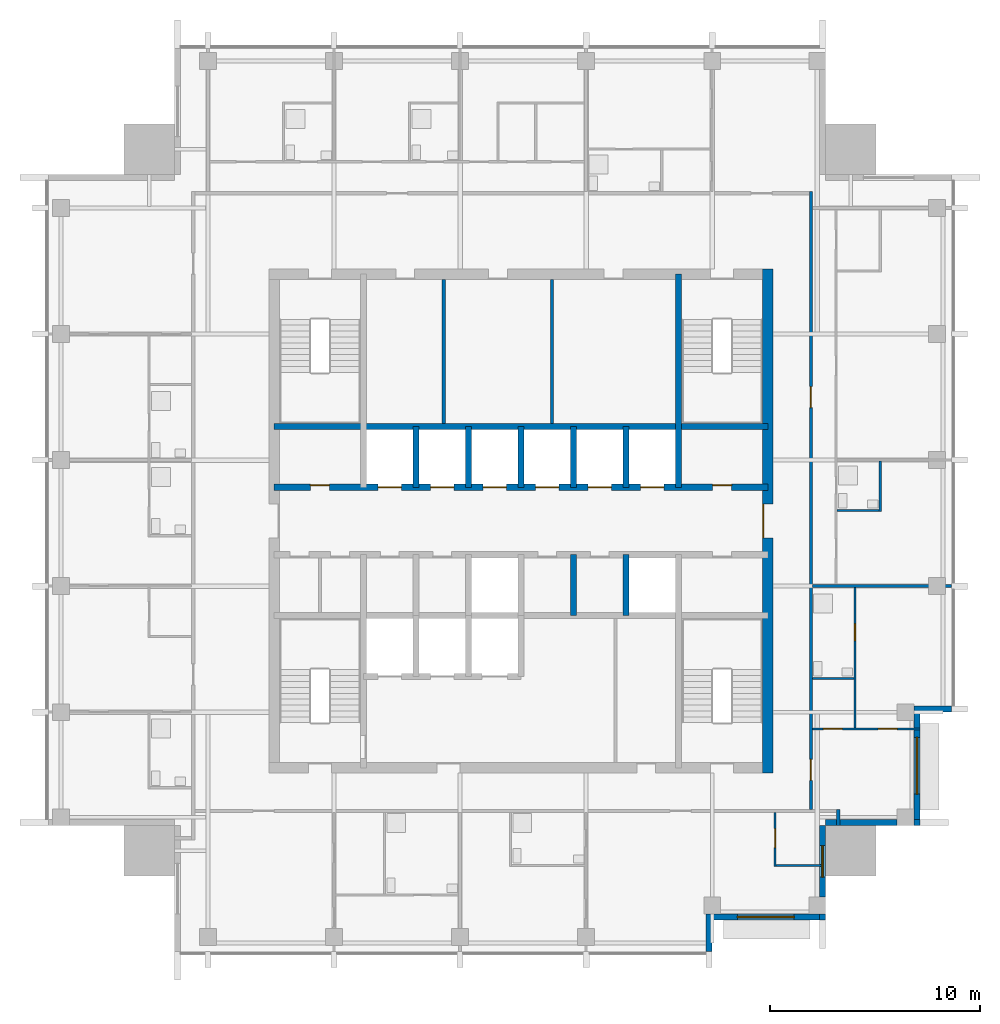
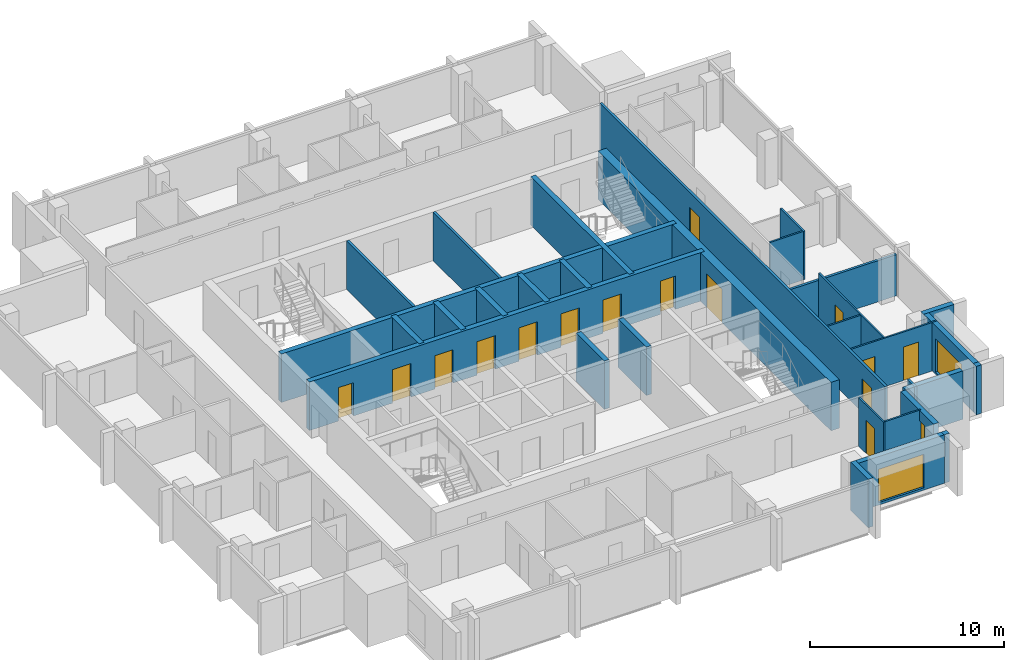
# One storey, part 5 of 9: 31 walls, 15 doors, 3 windows, 18 openings.
"""IFC4 building model written with IfcOpenShell, lengths in metres."""

import ifcopenshell
import ifcopenshell.guid

model = None  # the IFC model being written
_history = None  # IfcOwnerHistory: only IFC2X3 demands one
_inside = {}  # id of a spatial element -> (the spatial element, [elements in it])
_under = {}  # id of a project, library or spatial element -> (it, [spatial elements below it])
_declared = {}  # id of a project -> (the project, [libraries it declares])
_typed = {}  # id of a type object -> (the type object, [elements of that type])
_made_of = {}  # id of a material, layer set ... -> (it, [elements and type objects made of it])


def new_model(schema):
    """Start an empty IFC model of exactly this schema.

    Asked for "IFC4X3", IfcOpenShell would pick the latest addendum, in which some entities
    have other attributes; the version numbers below select the first issue.
    IFC2X3 requires an IfcOwnerHistory on every rooted entity: one is made here for all.
    """
    global model, _history
    if schema == "IFC4X3":
        model = ifcopenshell.file(schema_version=(4, 3, 0, 0))
    else:
        model = ifcopenshell.file(schema=schema)
    _inside.clear()
    _under.clear()
    _declared.clear()
    _typed.clear()
    _made_of.clear()
    _history = None
    if model.schema == "IFC2X3":
        org = make("IfcOrganization", Name="unknown")
        user = make(
            "IfcPersonAndOrganization",
            ThePerson=make("IfcPerson", FamilyName="unknown"),
            TheOrganization=org,
        )
        app = make(
            "IfcApplication",
            ApplicationDeveloper=org,
            Version="unknown",
            ApplicationFullName="unknown",
            ApplicationIdentifier="unknown",
        )
        _history = make(
            "IfcOwnerHistory",
            OwningUser=user,
            OwningApplication=app,
            ChangeAction="ADDED",
            CreationDate=0,
        )
    return model


def make(cls, **values):
    """One entity of the class cls with the attributes given. An attribute that is None is left unset."""
    return model.create_entity(
        cls, **{name: value for name, value in values.items() if value is not None}
    )


def rooted(cls, **values):
    """An entity with a GlobalId (a new one), such as an element, a storey or a relation."""
    return make(cls, GlobalId=ifcopenshell.guid.new(), OwnerHistory=_history, **values)


def si_unit(unit_type, name, prefix=None):
    """IfcSIUnit, for example si_unit("LENGTHUNIT", "METRE", prefix="MILLI")."""
    return make("IfcSIUnit", UnitType=unit_type, Prefix=prefix, Name=name)


def assignment(units):
    """IfcUnitAssignment: the units of a project."""
    return None if units is None else make("IfcUnitAssignment", Units=units)


def point(xyz):
    """IfcCartesianPoint."""
    return None if xyz is None else make("IfcCartesianPoint", Coordinates=xyz)


def direction(xyz):
    """IfcDirection."""
    return None if xyz is None else make("IfcDirection", DirectionRatios=xyz)


def frame(location, z_axis=None, x_axis=None):
    """IfcAxis2Placement3D, a coordinate frame: its origin and axes. An axis left out is left unset."""
    return make(
        "IfcAxis2Placement3D",
        Location=point(location),
        Axis=direction(z_axis),
        RefDirection=direction(x_axis),
    )


def frame_2d(location, x_axis=None):
    """IfcAxis2Placement2D, a coordinate frame in the plane: its origin and x axis."""
    return make(
        "IfcAxis2Placement2D", Location=point(location), RefDirection=direction(x_axis)
    )


def origin():
    """The frame at (0, 0, 0) with its axes left unset."""
    return frame((0.0, 0.0, 0.0))


def place(relative_to, where):
    """IfcLocalPlacement: puts the frame where relative to a parent placement (None: the world)."""
    return make(
        "IfcLocalPlacement", PlacementRelTo=relative_to, RelativePlacement=where
    )


def context(
    kind, dimensions, precision=None, world=None, true_north=None, identifier=None
):
    """IfcGeometricRepresentationContext, for example the 3D "Model" context."""
    return make(
        "IfcGeometricRepresentationContext",
        ContextIdentifier=identifier,
        ContextType=kind,
        CoordinateSpaceDimension=dimensions,
        Precision=precision,
        WorldCoordinateSystem=world,
        TrueNorth=true_north,
    )


def subcontext(parent, identifier, kind, view, scale=None):
    """IfcGeometricRepresentationSubContext, for example "Body" below "Model"."""
    return make(
        "IfcGeometricRepresentationSubContext",
        ContextIdentifier=identifier,
        ContextType=kind,
        ParentContext=parent,
        TargetScale=scale,
        TargetView=view,
    )


def project(units=None, contexts=None):
    """IfcProject with its units and contexts."""
    return rooted(
        "IfcProject",
        Name="project",
        RepresentationContexts=contexts,
        UnitsInContext=assignment(units),
    )


def spatial(cls, under=None, at=None, **own):
    """A site, building, storey or space (cls), placed at a placement, below another one or the project."""
    s = rooted(cls, ObjectPlacement=at, **own)
    if under is not None:
        _under.setdefault(under.id(), (under, []))[1].append(s)
    return s


def profile(cls, at=None, kind="AREA", **sizes):
    """A parametric profile (cls). Its sizes go by their IFC names, for example OverallWidth=200.0."""
    return make(cls, ProfileType=kind, Position=at, **sizes)


def rectangle(**sizes):
    """IfcRectangleProfileDef."""
    return profile("IfcRectangleProfileDef", **sizes)


def extrude(swept, where, along, depth):
    """IfcExtrudedAreaSolid: the profile swept, set in the frame where, extruded along a direction by depth."""
    return make(
        "IfcExtrudedAreaSolid",
        SweptArea=swept,
        Position=where,
        ExtrudedDirection=direction(along),
        Depth=depth,
    )


def shape(context_of_items, identifier, shape_type, items):
    """IfcShapeRepresentation: the items that make up one representation, for example the "Body"."""
    return make(
        "IfcShapeRepresentation",
        ContextOfItems=context_of_items,
        RepresentationIdentifier=identifier,
        RepresentationType=shape_type,
        Items=items,
    )


def material(Name=None, Category=None):
    """IfcMaterial."""
    return make("IfcMaterial", Name=Name, Category=Category)


def layer(
    of_material, thickness, ventilated=None, Name=None, Category=None, Priority=None
):
    """IfcMaterialLayer: one layer of a wall or slab, of a material (None: an air gap)."""
    return make(
        "IfcMaterialLayer",
        Material=of_material,
        LayerThickness=thickness,
        IsVentilated=ventilated,
        Name=Name,
        Category=Category,
        Priority=Priority,
    )


def layer_set(layers, Name=None):
    """IfcMaterialLayerSet."""
    return make("IfcMaterialLayerSet", MaterialLayers=layers, LayerSetName=Name)


def made_of(thing, what):
    """Note that an element or type object is made of a material, layer set ...; save() writes the relation."""
    if what is not None:
        _made_of.setdefault(what.id(), (what, []))[1].append(thing)
    return thing


def type_object(cls, material=None, **own):
    """A type object (cls), such as IfcWallType, which elements share."""
    return made_of(rooted(cls, **own), material)


def element(
    cls,
    number,
    at=None,
    inside=None,
    cuts=None,
    type_object=None,
    material=None,
    context=None,
    identifier="Body",
    shape_type=None,
    held_by="IfcProductDefinitionShape",
    body=None,
    shapes=None,
    **own,
):
    """One element of the class cls, such as IfcWall. Its Tag is "e" and its number.

    at: its placement. inside: the storey or other place that contains it. cuts: it is an
    opening in that element (IfcRelVoidsElement). A single representation is given by context,
    identifier, shape_type and body (its items); several are given by shapes. held_by: the class
    of the entity that holds the representations. save() writes the other relations.
    """
    e = rooted(cls, Tag="e%d" % number, ObjectPlacement=at, **own)
    if body is not None:
        shapes = [shape(context, identifier, shape_type, body)]
    if shapes is not None:
        e.Representation = make(held_by, Representations=shapes)
    if inside is not None:
        _inside.setdefault(inside.id(), (inside, []))[1].append(e)
    if cuts is not None:
        rooted(
            "IfcRelVoidsElement", RelatingBuildingElement=cuts, RelatedOpeningElement=e
        )
    if type_object is not None:
        _typed.setdefault(type_object.id(), (type_object, []))[1].append(e)
    return made_of(e, material)


def fill(opening, filler):
    """IfcRelFillsElement: the door or window that sits in an opening."""
    return rooted(
        "IfcRelFillsElement",
        RelatingOpeningElement=opening,
        RelatedBuildingElement=filler,
    )


def aggregate(whole, parts):
    """IfcRelAggregates: a whole, such as a stair, and the parts it consists of."""
    return rooted("IfcRelAggregates", RelatingObject=whole, RelatedObjects=parts)


def save(model, path):
    """Write the relations noted so far, then the file.

    IfcRelAggregates (storeys below a building ...), IfcRelContainedInSpatialStructure (elements
    in a storey), IfcRelDefinesByType, IfcRelAssociatesMaterial and IfcRelDeclares: one each for
    every whole, place, type object, material and project.
    """
    for whole, parts in _under.values():
        aggregate(whole, parts)
    for where, things in _inside.values():
        rooted(
            "IfcRelContainedInSpatialStructure",
            RelatedElements=things,
            RelatingStructure=where,
        )
    for kind, things in _typed.values():
        rooted("IfcRelDefinesByType", RelatedObjects=things, RelatingType=kind)
    for what, things in _made_of.values():
        rooted("IfcRelAssociatesMaterial", RelatedObjects=things, RelatingMaterial=what)
    for by, libraries in _declared.values():
        rooted("IfcRelDeclares", RelatingContext=by, RelatedDefinitions=libraries)
    model.write(path)


model = new_model("IFC4")

# Units and contexts
model_context = context("Model", 3, precision=1e-05, world=origin(), true_north=direction((0.0, 1.0)))
body_context = subcontext(model_context, "Body", "Model", "MODEL_VIEW")
ifc_project = project(units=[si_unit("LENGTHUNIT", "METRE"), si_unit("AREAUNIT", "SQUARE_METRE"), si_unit("VOLUMEUNIT", "CUBIC_METRE"), si_unit("PLANEANGLEUNIT", "RADIAN"), si_unit("MASSUNIT", "GRAM", prefix="KILO")], contexts=[model_context])

# Site, building, storey
site_placement = place(None, origin())
site = spatial("IfcSite", under=ifc_project, at=site_placement, CompositionType="ELEMENT")
building_placement = place(site_placement, origin())
building = spatial("IfcBuilding", under=site, at=building_placement, Name="Amberfall Residences", CompositionType="ELEMENT")
storey_placement = place(building_placement, frame((0.0, 0.0, 255.39990234375)))
storey = spatial("IfcBuildingStorey", under=building, at=storey_placement, Name="L68", CompositionType="ELEMENT", Elevation=255.39990234375)

# Walls
ifc_material_1 = material(Name="Pale stone cladding on insulated backing", Category="masonry")
ifc_layer_1 = layer(ifc_material_1, 0.300048828125)
ifc_layer_set_1 = layer_set([ifc_layer_1], Name="Bronze clad wall 300")
wall_type_1 = type_object("IfcWallType", Name="Bronze clad wall 300", PredefinedType="SOLIDWALL", material=ifc_layer_set_1)
wall_1_placement = place(storey_placement, frame((83.449951171875, 25.0, 0.0), z_axis=(0.0, 0.0, 1.0), x_axis=(0.0, 1.0, 0.0)))
element("IfcWall", 1, at=wall_1_placement, inside=storey, type_object=wall_type_1, Name="External wall L68 S", PredefinedType="SOLIDWALL", context=body_context, shape_type="SweptSolid", body=[
    extrude(rectangle(XDim=1.800048828125, YDim=0.300048828125, at=frame_2d((0.89990234375, 0.0))), origin(), (0.0, 0.0, 1.0), 3.050048828125),
])
wall_2_placement = place(storey_placement, frame((88.85009765625, 26.5, 0.0), z_axis=(0.0, 0.0, 1.0), x_axis=(0.0, 1.0, 0.0)))
element("IfcWall", 2, at=wall_2_placement, inside=storey, type_object=wall_type_1, Name="External wall L68 SE", PredefinedType="SOLIDWALL", context=body_context, shape_type="SweptSolid", body=[
    extrude(rectangle(XDim=0.300048828125, YDim=0.300048828125, at=frame_2d((0.14990234375, 0.0))), origin(), (0.0, 0.0, 1.0), 3.050048828125),
])

# Wall, opening, window
wall_3_placement = place(storey_placement, frame((88.85009765625, 27.60009765625, 0.0), z_axis=(0.0, 0.0, 1.0), x_axis=(0.0, 1.0, 0.0)))
wall_3 = element("IfcWall", 3, at=wall_3_placement, inside=storey, type_object=wall_type_1, Name="External wall L68 SE", PredefinedType="SOLIDWALL", context=body_context, shape_type="SweptSolid", body=[
    extrude(rectangle(XDim=3.39990234375, YDim=0.300048828125, at=frame_2d((1.699951171875, 0.0))), origin(), (0.0, 0.0, 1.0), 3.050048828125),
])
opening_1_placement = place(wall_3_placement, frame((0.949951171875, 0.0, 0.89990234375)))
opening_1 = element("IfcOpeningElement", 4, at=opening_1_placement, cuts=wall_3, Name="Opening WN1", PredefinedType="OPENING", context=body_context, shape_type="SweptSolid", body=[
    extrude(rectangle(XDim=1.5, YDim=1.5, at=frame_2d((0.75, 0.75))), frame((0.0, 0.159912109375, 0.0), z_axis=(0.0, -1.0, 0.0), x_axis=(1.0, 0.0, 0.0)), (0.0, 0.0, 1.0), 0.320068359375),
])
ifc_material_2 = material(Name="Bronze aluminium framed glazing", Category="aluminium")
window_type_1 = type_object("IfcWindowType", Name="Window 1500 x 1500 bronze", PartitioningType="DOUBLE_PANEL_VERTICAL", PredefinedType="WINDOW", material=ifc_material_2)
window_1_placement = place(opening_1_placement, origin())
window_1 = element("IfcWindow", 5, at=window_1_placement, inside=storey, type_object=window_type_1, Name="Window L68 SE", OverallHeight=1.5, OverallWidth=1.5, PartitioningType="DOUBLE_PANEL_VERTICAL", PredefinedType="WINDOW", context=body_context, shape_type="SweptSolid", body=[
    extrude(rectangle(XDim=1.5, YDim=1.5, at=frame_2d((0.75, 0.75))), frame((0.0, 0.030029296875, 0.0), z_axis=(0.0, -1.0, 0.0), x_axis=(1.0, 0.0, 0.0)), (0.0, 0.0, 1.0), 0.06005859375),
])
fill(opening_1, window_1)

# Walls
wall_4_placement = place(storey_placement, frame((89.0, 31.14990234375, 0.0), z_axis=(0.0, 0.0, 1.0), x_axis=(1.0, 0.0, 0.0)))
element("IfcWall", 6, at=wall_4_placement, inside=storey, type_object=wall_type_1, Name="External wall L68 SE", PredefinedType="SOLIDWALL", context=body_context, shape_type="SweptSolid", body=[
    extrude(rectangle(XDim=3.39990234375, YDim=0.300048828125, at=frame_2d((1.699951171875, 0.0))), origin(), (0.0, 0.0, 1.0), 3.050048828125),
])
wall_5_placement = place(storey_placement, frame((93.199951171875, 31.14990234375, 0.0), z_axis=(0.0, 0.0, 1.0), x_axis=(1.0, 0.0, 0.0)))
element("IfcWall", 7, at=wall_5_placement, inside=storey, type_object=wall_type_1, Name="External wall L68 SE", PredefinedType="SOLIDWALL", context=body_context, shape_type="SweptSolid", body=[
    extrude(rectangle(XDim=0.300048828125, YDim=0.300048828125, at=frame_2d((0.14990234375, 0.0))), origin(), (0.0, 0.0, 1.0), 3.050048828125),
])
wall_6_placement = place(storey_placement, frame((93.199951171875, 36.550048828125, 0.0), z_axis=(0.0, 0.0, 1.0), x_axis=(1.0, 0.0, 0.0)))
element("IfcWall", 8, at=wall_6_placement, inside=storey, type_object=wall_type_1, Name="External wall L68 E", PredefinedType="SOLIDWALL", context=body_context, shape_type="SweptSolid", body=[
    extrude(rectangle(XDim=1.800048828125, YDim=0.300048828125, at=frame_2d((0.89990234375, 0.0))), origin(), (0.0, 0.0, 1.0), 3.050048828125),
])

# Wall, opening, window
wall_7_placement = place(storey_placement, frame((83.60009765625, 26.64990234375, 0.0), z_axis=(0.0, 0.0, 1.0), x_axis=(1.0, 0.0, 0.0)))
wall_7 = element("IfcWall", 9, at=wall_7_placement, inside=storey, type_object=wall_type_1, Name="Stone wall L68 S", PredefinedType="SOLIDWALL", context=body_context, shape_type="SweptSolid", body=[
    extrude(rectangle(XDim=5.099853515625, YDim=0.300048828125, at=frame_2d((2.5498046875, 0.0))), origin(), (0.0, 0.0, 1.0), 3.050048828125),
])
opening_2_placement = place(wall_7_placement, frame((1.199951171875, 0.0, 0.14990234375)))
opening_2 = element("IfcOpeningElement", 10, at=opening_2_placement, cuts=wall_7, Name="Opening WN4", PredefinedType="OPENING", context=body_context, shape_type="SweptSolid", body=[
    extrude(rectangle(XDim=2.699951171875, YDim=2.10009765625, at=frame_2d((1.35009765625, 1.050048828125))), frame((0.0, 0.159912109375, 0.0), z_axis=(0.0, -1.0, 0.0), x_axis=(1.0, 0.0, 0.0)), (0.0, 0.0, 1.0), 0.320068359375),
])
window_type_2 = type_object("IfcWindowType", Name="Glazed opening 2700 x 2100 bronze", PartitioningType="DOUBLE_PANEL_VERTICAL", PredefinedType="WINDOW", material=ifc_material_2)
window_2_placement = place(opening_2_placement, origin())
window_2 = element("IfcWindow", 11, at=window_2_placement, inside=storey, type_object=window_type_2, Name="Window L68 S", OverallHeight=2.10009765625, OverallWidth=2.699951171875, PartitioningType="DOUBLE_PANEL_VERTICAL", PredefinedType="WINDOW", context=body_context, shape_type="SweptSolid", body=[
    extrude(rectangle(XDim=2.699951171875, YDim=2.10009765625, at=frame_2d((1.35009765625, 1.050048828125))), frame((0.0, 0.030029296875, 0.0), z_axis=(0.0, -1.0, 0.0), x_axis=(1.0, 0.0, 0.0)), (0.0, 0.0, 1.0), 0.06005859375),
])
fill(opening_2, window_2)

wall_8_placement = place(storey_placement, frame((93.35009765625, 31.300048828125, 0.0), z_axis=(0.0, 0.0, 1.0), x_axis=(0.0, 1.0, 0.0)))
wall_8 = element("IfcWall", 12, at=wall_8_placement, inside=storey, type_object=wall_type_1, Name="Stone wall L68 E", PredefinedType="SOLIDWALL", context=body_context, shape_type="SweptSolid", body=[
    extrude(rectangle(XDim=5.099853515625, YDim=0.300048828125, at=frame_2d((2.5498046875, 0.0))), origin(), (0.0, 0.0, 1.0), 3.050048828125),
])
opening_3_placement = place(wall_8_placement, frame((1.199951171875, 0.0, 0.14990234375)))
opening_3 = element("IfcOpeningElement", 13, at=opening_3_placement, cuts=wall_8, Name="Opening WN4", PredefinedType="OPENING", context=body_context, shape_type="SweptSolid", body=[
    extrude(rectangle(XDim=2.699951171875, YDim=2.10009765625, at=frame_2d((1.35009765625, 1.050048828125))), frame((0.0, 0.159912109375, 0.0), z_axis=(0.0, -1.0, 0.0), x_axis=(1.0, 0.0, 0.0)), (0.0, 0.0, 1.0), 0.320068359375),
])
window_3_placement = place(opening_3_placement, origin())
window_3 = element("IfcWindow", 14, at=window_3_placement, inside=storey, type_object=window_type_2, Name="Window L68 E", OverallHeight=2.10009765625, OverallWidth=2.699951171875, PartitioningType="DOUBLE_PANEL_VERTICAL", PredefinedType="WINDOW", context=body_context, shape_type="SweptSolid", body=[
    extrude(rectangle(XDim=2.699951171875, YDim=2.10009765625, at=frame_2d((1.35009765625, 1.050048828125))), frame((0.0, 0.030029296875, 0.0), z_axis=(0.0, -1.0, 0.0), x_axis=(1.0, 0.0, 0.0)), (0.0, 0.0, 1.0), 0.06005859375),
])
fill(opening_3, window_3)

# Wall, openings, doors
ifc_material_3 = material(Name="Concrete C50", Category="concrete")
ifc_layer_2 = layer(ifc_material_3, 0.300048828125)
ifc_layer_set_2 = layer_set([ifc_layer_2], Name="Core wall 300 C50")
wall_type_2 = type_object("IfcWallType", Name="Core wall 300 C50", PredefinedType="SHEAR", material=ifc_layer_set_2)
wall_9_placement = place(storey_placement, frame((62.75, 47.10009765625, 0.0), z_axis=(0.0, 0.0, 1.0), x_axis=(1.0, 0.0, 0.0)))
wall_9 = element("IfcWall", 15, at=wall_9_placement, inside=storey, type_object=wall_type_2, Name="Core wall RW10 L68 H136", PredefinedType="SHEAR", context=body_context, shape_type="SweptSolid", body=[
    extrude(rectangle(XDim=23.5, YDim=0.300048828125, at=frame_2d((11.75, 0.0))), origin(), (0.0, 0.0, 1.0), 3.050048828125),
])
opening_4_placement = place(wall_9_placement, frame((1.72509765625, 0.0, 0.0)))
opening_4 = element("IfcOpeningElement", 16, at=opening_4_placement, cuts=wall_9, Name="Opening RD1", PredefinedType="OPENING", context=body_context, shape_type="SweptSolid", body=[
    extrude(rectangle(XDim=0.89990234375, YDim=2.10009765625, at=frame_2d((0.449951171875, 1.050048828125))), frame((0.0, 0.159912109375, 0.0), z_axis=(0.0, -1.0, 0.0), x_axis=(1.0, 0.0, 0.0)), (0.0, 0.0, 1.0), 0.320068359375),
])
opening_5_placement = place(wall_9_placement, frame((20.875, 0.0, 0.0)))
opening_5 = element("IfcOpeningElement", 17, at=opening_5_placement, cuts=wall_9, Name="Opening RD1", PredefinedType="OPENING", context=body_context, shape_type="SweptSolid", body=[
    extrude(rectangle(XDim=0.89990234375, YDim=2.10009765625, at=frame_2d((0.449951171875, 1.050048828125))), frame((0.0, 0.159912109375, 0.0), z_axis=(0.0, -1.0, 0.0), x_axis=(1.0, 0.0, 0.0)), (0.0, 0.0, 1.0), 0.320068359375),
])
opening_6_placement = place(wall_9_placement, frame((4.949951171875, 0.0, 0.0)))
opening_6 = element("IfcOpeningElement", 18, at=opening_6_placement, cuts=wall_9, Name="Opening LD1", PredefinedType="OPENING", context=body_context, shape_type="SweptSolid", body=[
    extrude(rectangle(XDim=1.10009765625, YDim=2.10009765625, at=frame_2d((0.550048828125, 1.050048828125))), frame((0.0, 0.159912109375, 0.0), z_axis=(0.0, -1.0, 0.0), x_axis=(1.0, 0.0, 0.0)), (0.0, 0.0, 1.0), 0.320068359375),
])
opening_7_placement = place(wall_9_placement, frame((7.449951171875, 0.0, 0.0)))
opening_7 = element("IfcOpeningElement", 19, at=opening_7_placement, cuts=wall_9, Name="Opening LD1", PredefinedType="OPENING", context=body_context, shape_type="SweptSolid", body=[
    extrude(rectangle(XDim=1.10009765625, YDim=2.10009765625, at=frame_2d((0.550048828125, 1.050048828125))), frame((0.0, 0.159912109375, 0.0), z_axis=(0.0, -1.0, 0.0), x_axis=(1.0, 0.0, 0.0)), (0.0, 0.0, 1.0), 0.320068359375),
])
opening_8_placement = place(wall_9_placement, frame((9.949951171875, 0.0, 0.0)))
opening_8 = element("IfcOpeningElement", 20, at=opening_8_placement, cuts=wall_9, Name="Opening LD1", PredefinedType="OPENING", context=body_context, shape_type="SweptSolid", body=[
    extrude(rectangle(XDim=1.10009765625, YDim=2.10009765625, at=frame_2d((0.550048828125, 1.050048828125))), frame((0.0, 0.159912109375, 0.0), z_axis=(0.0, -1.0, 0.0), x_axis=(1.0, 0.0, 0.0)), (0.0, 0.0, 1.0), 0.320068359375),
])
opening_9_placement = place(wall_9_placement, frame((12.449951171875, 0.0, 0.0)))
opening_9 = element("IfcOpeningElement", 21, at=opening_9_placement, cuts=wall_9, Name="Opening LD1", PredefinedType="OPENING", context=body_context, shape_type="SweptSolid", body=[
    extrude(rectangle(XDim=1.10009765625, YDim=2.10009765625, at=frame_2d((0.550048828125, 1.050048828125))), frame((0.0, 0.159912109375, 0.0), z_axis=(0.0, -1.0, 0.0), x_axis=(1.0, 0.0, 0.0)), (0.0, 0.0, 1.0), 0.320068359375),
])
opening_10_placement = place(wall_9_placement, frame((14.949951171875, 0.0, 0.0)))
opening_10 = element("IfcOpeningElement", 22, at=opening_10_placement, cuts=wall_9, Name="Opening LD1", PredefinedType="OPENING", context=body_context, shape_type="SweptSolid", body=[
    extrude(rectangle(XDim=1.10009765625, YDim=2.10009765625, at=frame_2d((0.550048828125, 1.050048828125))), frame((0.0, 0.159912109375, 0.0), z_axis=(0.0, -1.0, 0.0), x_axis=(1.0, 0.0, 0.0)), (0.0, 0.0, 1.0), 0.320068359375),
])
opening_11_placement = place(wall_9_placement, frame((17.449951171875, 0.0, 0.0)))
opening_11 = element("IfcOpeningElement", 23, at=opening_11_placement, cuts=wall_9, Name="Opening LD1", PredefinedType="OPENING", context=body_context, shape_type="SweptSolid", body=[
    extrude(rectangle(XDim=1.10009765625, YDim=2.10009765625, at=frame_2d((0.550048828125, 1.050048828125))), frame((0.0, 0.159912109375, 0.0), z_axis=(0.0, -1.0, 0.0), x_axis=(1.0, 0.0, 0.0)), (0.0, 0.0, 1.0), 0.320068359375),
])
ifc_material_4 = material(Name="Steel fire door set", Category="steel")
door_type_1 = type_object("IfcDoorType", Name="Lift landing door 1100 x 2100", OperationType="DOUBLE_DOOR_SLIDING", PredefinedType="DOOR", material=ifc_material_4)
door_1_placement = place(opening_6_placement, origin())
door_1 = element("IfcDoor", 24, at=door_1_placement, inside=storey, type_object=door_type_1, Name="Landing door HP1 L68", OperationType="DOUBLE_DOOR_SLIDING", OverallHeight=2.10009765625, OverallWidth=1.10009765625, PredefinedType="DOOR", context=body_context, shape_type="SweptSolid", body=[
    extrude(rectangle(XDim=1.10009765625, YDim=2.10009765625, at=frame_2d((0.550048828125, 1.050048828125))), frame((0.0, 0.02490234375, 0.0), z_axis=(0.0, -1.0, 0.0), x_axis=(1.0, 0.0, 0.0)), (0.0, 0.0, 1.0), 0.050048828125),
])
fill(opening_6, door_1)
door_2_placement = place(opening_7_placement, origin())
door_2 = element("IfcDoor", 25, at=door_2_placement, inside=storey, type_object=door_type_1, Name="Landing door HP2 L68", OperationType="DOUBLE_DOOR_SLIDING", OverallHeight=2.10009765625, OverallWidth=1.10009765625, PredefinedType="DOOR", context=body_context, shape_type="SweptSolid", body=[
    extrude(rectangle(XDim=1.10009765625, YDim=2.10009765625, at=frame_2d((0.550048828125, 1.050048828125))), frame((0.0, 0.02490234375, 0.0), z_axis=(0.0, -1.0, 0.0), x_axis=(1.0, 0.0, 0.0)), (0.0, 0.0, 1.0), 0.050048828125),
])
fill(opening_7, door_2)
door_3_placement = place(opening_8_placement, origin())
door_3 = element("IfcDoor", 26, at=door_3_placement, inside=storey, type_object=door_type_1, Name="Landing door HP3 L68", OperationType="DOUBLE_DOOR_SLIDING", OverallHeight=2.10009765625, OverallWidth=1.10009765625, PredefinedType="DOOR", context=body_context, shape_type="SweptSolid", body=[
    extrude(rectangle(XDim=1.10009765625, YDim=2.10009765625, at=frame_2d((0.550048828125, 1.050048828125))), frame((0.0, 0.02490234375, 0.0), z_axis=(0.0, -1.0, 0.0), x_axis=(1.0, 0.0, 0.0)), (0.0, 0.0, 1.0), 0.050048828125),
])
fill(opening_8, door_3)
door_4_placement = place(opening_9_placement, origin())
door_4 = element("IfcDoor", 27, at=door_4_placement, inside=storey, type_object=door_type_1, Name="Landing door HP4 L68", OperationType="DOUBLE_DOOR_SLIDING", OverallHeight=2.10009765625, OverallWidth=1.10009765625, PredefinedType="DOOR", context=body_context, shape_type="SweptSolid", body=[
    extrude(rectangle(XDim=1.10009765625, YDim=2.10009765625, at=frame_2d((0.550048828125, 1.050048828125))), frame((0.0, 0.02490234375, 0.0), z_axis=(0.0, -1.0, 0.0), x_axis=(1.0, 0.0, 0.0)), (0.0, 0.0, 1.0), 0.050048828125),
])
fill(opening_9, door_4)
door_5_placement = place(opening_10_placement, origin())
door_5 = element("IfcDoor", 28, at=door_5_placement, inside=storey, type_object=door_type_1, Name="Landing door HP5 L68", OperationType="DOUBLE_DOOR_SLIDING", OverallHeight=2.10009765625, OverallWidth=1.10009765625, PredefinedType="DOOR", context=body_context, shape_type="SweptSolid", body=[
    extrude(rectangle(XDim=1.10009765625, YDim=2.10009765625, at=frame_2d((0.550048828125, 1.050048828125))), frame((0.0, 0.02490234375, 0.0), z_axis=(0.0, -1.0, 0.0), x_axis=(1.0, 0.0, 0.0)), (0.0, 0.0, 1.0), 0.050048828125),
])
fill(opening_10, door_5)
door_6_placement = place(opening_11_placement, origin())
door_6 = element("IfcDoor", 29, at=door_6_placement, inside=storey, type_object=door_type_1, Name="Landing door HP6 L68", OperationType="DOUBLE_DOOR_SLIDING", OverallHeight=2.10009765625, OverallWidth=1.10009765625, PredefinedType="DOOR", context=body_context, shape_type="SweptSolid", body=[
    extrude(rectangle(XDim=1.10009765625, YDim=2.10009765625, at=frame_2d((0.550048828125, 1.050048828125))), frame((0.0, 0.02490234375, 0.0), z_axis=(0.0, -1.0, 0.0), x_axis=(1.0, 0.0, 0.0)), (0.0, 0.0, 1.0), 0.050048828125),
])
fill(opening_11, door_6)
door_type_2 = type_object("IfcDoorType", Name="Service room door 900 x 2100", OperationType="SINGLE_SWING_LEFT", PredefinedType="DOOR", material=ifc_material_4)
door_7_placement = place(opening_4_placement, origin())
door_7 = element("IfcDoor", 30, at=door_7_placement, inside=storey, type_object=door_type_2, Name="RD1 L68", OperationType="SINGLE_SWING_LEFT", OverallHeight=2.10009765625, OverallWidth=0.89990234375, PredefinedType="DOOR", context=body_context, shape_type="SweptSolid", body=[
    extrude(rectangle(XDim=0.89990234375, YDim=2.10009765625, at=frame_2d((0.449951171875, 1.050048828125))), frame((0.0, 0.1376953125, 0.0), z_axis=(0.0, -1.0, 0.0), x_axis=(1.0, 0.0, 0.0)), (0.0, 0.0, 1.0), 0.050048828125),
])
fill(opening_4, door_7)
door_8_placement = place(opening_5_placement, origin())
door_8 = element("IfcDoor", 31, at=door_8_placement, inside=storey, type_object=door_type_2, Name="RD1 L68", OperationType="SINGLE_SWING_LEFT", OverallHeight=2.10009765625, OverallWidth=0.89990234375, PredefinedType="DOOR", context=body_context, shape_type="SweptSolid", body=[
    extrude(rectangle(XDim=0.89990234375, YDim=2.10009765625, at=frame_2d((0.449951171875, 1.050048828125))), frame((0.0, 0.1376953125, 0.0), z_axis=(0.0, -1.0, 0.0), x_axis=(1.0, 0.0, 0.0)), (0.0, 0.0, 1.0), 0.050048828125),
])
fill(opening_5, door_8)

# Walls
wall_10_placement = place(storey_placement, frame((62.75, 50.0, 0.0), z_axis=(0.0, 0.0, 1.0), x_axis=(1.0, 0.0, 0.0)))
element("IfcWall", 32, at=wall_10_placement, inside=storey, type_object=wall_type_2, Name="Core wall RW10 L68 H165", PredefinedType="SHEAR", context=body_context, shape_type="SweptSolid", body=[
    extrude(rectangle(XDim=23.5, YDim=0.300048828125, at=frame_2d((11.75, 0.0))), origin(), (0.0, 0.0, 1.0), 3.050048828125),
])
wall_11_placement = place(storey_placement, frame((82.0, 47.10009765625, 0.0), z_axis=(0.0, 0.0, 1.0), x_axis=(0.0, 1.0, 0.0)))
element("IfcWall", 33, at=wall_11_placement, inside=storey, type_object=wall_type_2, Name="Core wall RW10 L68 V195N", PredefinedType="SHEAR", context=body_context, shape_type="SweptSolid", body=[
    extrude(rectangle(XDim=10.14990234375, YDim=0.300048828125, at=frame_2d((5.074951171875, 0.0))), origin(), (0.0, 0.0, 1.0), 3.050048828125),
])
for number, where, z_axis, x_axis, name in (
    (34, (69.5, 47.10009765625, 0.0), (0.0, 0.0, 1.0), (0.0, 1.0, 0.0), "Core wall RW10 L68 HPD1"),
    (35, (72.0, 47.10009765625, 0.0), (0.0, 0.0, 1.0), (0.0, 1.0, 0.0), "Core wall RW10 L68 HPD2"),
    (36, (74.5, 47.10009765625, 0.0), (0.0, 0.0, 1.0), (0.0, 1.0, 0.0), "Core wall RW10 L68 HPD3"),
    (37, (77.0, 41.0, 0.0), (0.0, 0.0, 1.0), (0.0, 1.0, 0.0), "Core wall RW10 L68 LPD4"),
    (38, (77.0, 47.10009765625, 0.0), (0.0, 0.0, 1.0), (0.0, 1.0, 0.0), "Core wall RW10 L68 HPD4"),
    (39, (79.5, 41.0, 0.0), (0.0, 0.0, 1.0), (0.0, 1.0, 0.0), "Core wall RW10 L68 LPD5"),
    (40, (79.5, 47.10009765625, 0.0), (0.0, 0.0, 1.0), (0.0, 1.0, 0.0), "Core wall RW10 L68 HPD5"),
):
    element("IfcWall", number, at=place(storey_placement, frame(where, z_axis=z_axis, x_axis=x_axis)), inside=storey, type_object=wall_type_2, Name=name, PredefinedType="SHEAR", context=body_context, shape_type="SweptSolid", body=[
        extrude(rectangle(XDim=2.89990234375, YDim=0.300048828125, at=frame_2d((1.449951171875, 0.0))), origin(), (0.0, 0.0, 1.0), 3.050048828125),
    ])

# Wall, opening, door
ifc_layer_3 = layer(ifc_material_3, 0.5)
ifc_layer_set_3 = layer_set([ifc_layer_3], Name="Core wall 500 C50")
wall_type_3 = type_object("IfcWallType", Name="Core wall 500 C50", PredefinedType="SHEAR", material=ifc_layer_set_3)
wall_12_placement = place(storey_placement, frame((86.25, 33.5, 0.0), z_axis=(0.0, 0.0, 1.0), x_axis=(0.0, 1.0, 0.0)))
wall_12 = element("IfcWall", 41, at=wall_12_placement, inside=storey, type_object=wall_type_3, Name="Core wall RW9 L68 OE", PredefinedType="SHEAR", context=body_context, shape_type="SweptSolid", body=[
    extrude(rectangle(XDim=24.0, YDim=0.5, at=frame_2d((12.0, 0.0))), origin(), (0.0, 0.0, 1.0), 3.050048828125),
])
opening_12_placement = place(wall_12_placement, frame((11.199951171875, 0.0, 0.0)))
opening_12 = element("IfcOpeningElement", 42, at=opening_12_placement, cuts=wall_12, Name="Opening LB1", PredefinedType="OPENING", context=body_context, shape_type="SweptSolid", body=[
    extrude(rectangle(XDim=1.60009765625, YDim=2.10009765625, at=frame_2d((0.800048828125, 1.050048828125))), frame((0.0, 0.260009765625, 0.0), z_axis=(0.0, -1.0, 0.0), x_axis=(1.0, 0.0, 0.0)), (0.0, 0.0, 1.0), 0.52001953125),
])
door_type_3 = type_object("IfcDoorType", Name="Lift lobby double door 1600 x 2100", OperationType="DOUBLE_DOOR_SINGLE_SWING", PredefinedType="DOOR", material=ifc_material_4)
door_9_placement = place(opening_12_placement, origin())
door_9 = element("IfcDoor", 43, at=door_9_placement, inside=storey, type_object=door_type_3, Name="LB1 L68", OperationType="DOUBLE_DOOR_SINGLE_SWING", OverallHeight=2.10009765625, OverallWidth=1.60009765625, PredefinedType="DOOR", context=body_context, shape_type="SweptSolid", body=[
    extrude(rectangle(XDim=1.60009765625, YDim=2.10009765625, at=frame_2d((0.800048828125, 1.050048828125))), frame((0.0, 0.2373046875, 0.0), z_axis=(0.0, -1.0, 0.0), x_axis=(1.0, 0.0, 0.0)), (0.0, 0.0, 1.0), 0.050048828125),
])
fill(opening_12, door_9)

ifc_material_5 = material(Name="Gypsum board on metal stud")
ifc_layer_4 = layer(ifc_material_5, 0.10009765625)
ifc_layer_set_4 = layer_set([ifc_layer_4], Name="Flat partition 100")
wall_type_4 = type_object("IfcWallType", Name="Flat partition 100", PredefinedType="PARTITIONING", material=ifc_layer_set_4)
wall_13_placement = place(storey_placement, frame((86.60009765625, 31.625, 0.0), z_axis=(0.0, 0.0, 1.0), x_axis=(0.0, -1.0, 0.0)))
wall_13 = element("IfcWall", 44, at=wall_13_placement, inside=storey, type_object=wall_type_4, Name="Partition 016", PredefinedType="PARTITIONING", context=body_context, shape_type="SweptSolid", body=[
    extrude(rectangle(XDim=2.574951171875, YDim=0.10009765625, at=frame_2d((1.28759765625, 0.0))), origin(), (0.0, 0.0, 1.0), 3.050048828125),
])
opening_13_placement = place(wall_13_placement, frame((0.77490234375, 0.0, 0.0)))
opening_13 = element("IfcOpeningElement", 45, at=opening_13_placement, cuts=wall_13, Name="Opening D41", PredefinedType="OPENING", context=body_context, shape_type="SweptSolid", body=[
    extrude(rectangle(XDim=0.89990234375, YDim=2.10009765625, at=frame_2d((0.449951171875, 1.050048828125))), frame((0.0, 0.06005859375, 0.0), z_axis=(0.0, -1.0, 0.0), x_axis=(1.0, 0.0, 0.0)), (0.0, 0.0, 1.0), 0.1201171875),
])
ifc_material_6 = material(Name="Timber", Category="wood")
door_type_4 = type_object("IfcDoorType", Name="Internal door 900 x 2100", OperationType="SINGLE_SWING_LEFT", PredefinedType="DOOR", material=ifc_material_6)
door_10_placement = place(opening_13_placement, origin())
door_10 = element("IfcDoor", 46, at=door_10_placement, inside=storey, type_object=door_type_4, Name="Door 6802 kitchen", OperationType="SINGLE_SWING_LEFT", OverallHeight=2.10009765625, OverallWidth=0.89990234375, PredefinedType="DOOR", context=body_context, shape_type="SweptSolid", body=[
    extrude(rectangle(XDim=0.89990234375, YDim=2.10009765625, at=frame_2d((0.449951171875, 1.050048828125))), frame((0.0, 0.02490234375, 0.0), z_axis=(0.0, -1.0, 0.0), x_axis=(1.0, 0.0, 0.0)), (0.0, 0.0, 1.0), 0.050048828125),
])
fill(opening_13, door_10)

wall_14_placement = place(storey_placement, frame((90.39990234375, 35.64990234375, 0.0), z_axis=(0.0, 0.0, 1.0), x_axis=(0.0, 1.0, 0.0)))
wall_14 = element("IfcWall", 47, at=wall_14_placement, inside=storey, type_object=wall_type_4, Name="Partition 018", PredefinedType="PARTITIONING", context=body_context, shape_type="SweptSolid", body=[
    extrude(rectangle(XDim=6.675048828125, YDim=0.10009765625, at=frame_2d((3.33740234375, 0.0))), origin(), (0.0, 0.0, 1.0), 3.050048828125),
])
opening_14_placement = place(wall_14_placement, frame((4.14990234375, 0.0, 0.0)))
opening_14 = element("IfcOpeningElement", 48, at=opening_14_placement, cuts=wall_14, Name="Opening D42", PredefinedType="OPENING", context=body_context, shape_type="SweptSolid", body=[
    extrude(rectangle(XDim=0.800048828125, YDim=2.10009765625, at=frame_2d((0.39990234375, 1.050048828125))), frame((0.0, 0.06005859375, 0.0), z_axis=(0.0, -1.0, 0.0), x_axis=(1.0, 0.0, 0.0)), (0.0, 0.0, 1.0), 0.1201171875),
])
door_type_5 = type_object("IfcDoorType", Name="Bathroom door 800 x 2100", OperationType="SINGLE_SWING_LEFT", PredefinedType="DOOR", material=ifc_material_6)
door_11_placement = place(opening_14_placement, origin())
door_11 = element("IfcDoor", 49, at=door_11_placement, inside=storey, type_object=door_type_5, Name="Door 6803 bath1", OperationType="SINGLE_SWING_LEFT", OverallHeight=2.10009765625, OverallWidth=0.800048828125, PredefinedType="DOOR", context=body_context, shape_type="SweptSolid", body=[
    extrude(rectangle(XDim=0.800048828125, YDim=2.10009765625, at=frame_2d((0.39990234375, 1.050048828125))), frame((0.0, 0.02490234375, 0.0), z_axis=(0.0, -1.0, 0.0), x_axis=(1.0, 0.0, 0.0)), (0.0, 0.0, 1.0), 0.050048828125),
])
fill(opening_14, door_11)

# Walls
wall_15_placement = place(storey_placement, frame((91.60009765625, 45.949951171875, 0.0), z_axis=(0.0, 0.0, 1.0), x_axis=(0.0, 1.0, 0.0)))
element("IfcWall", 50, at=wall_15_placement, inside=storey, type_object=wall_type_4, Name="Partition 019", PredefinedType="PARTITIONING", context=body_context, shape_type="SweptSolid", body=[
    extrude(rectangle(XDim=2.400146484375, YDim=0.10009765625, at=frame_2d((1.2001953125, 0.0))), origin(), (0.0, 0.0, 1.0), 3.050048828125),
])
wall_16_placement = place(storey_placement, frame((89.550048828125, 46.0, 0.0), z_axis=(0.0, 0.0, 1.0), x_axis=(1.0, 0.0, 0.0)))
element("IfcWall", 51, at=wall_16_placement, inside=storey, type_object=wall_type_4, Name="Partition 030", PredefinedType="PARTITIONING", context=body_context, shape_type="SweptSolid", body=[
    extrude(rectangle(XDim=2.0, YDim=0.10009765625, at=frame_2d((1.0, 0.0))), origin(), (0.0, 0.0, 1.0), 3.050048828125),
])
wall_17_placement = place(storey_placement, frame((88.375, 38.0, 0.0), z_axis=(0.0, 0.0, 1.0), x_axis=(1.0, 0.0, 0.0)))
element("IfcWall", 52, at=wall_17_placement, inside=storey, type_object=wall_type_4, Name="Partition 034", PredefinedType="PARTITIONING", context=body_context, shape_type="SweptSolid", body=[
    extrude(rectangle(XDim=1.97509765625, YDim=0.10009765625, at=frame_2d((0.987548828125, 0.0))), origin(), (0.0, 0.0, 1.0), 3.050048828125),
])

# Wall, openings, doors
wall_18_placement = place(storey_placement, frame((88.375, 35.60009765625, 0.0), z_axis=(0.0, 0.0, 1.0), x_axis=(1.0, 0.0, 0.0)))
wall_18 = element("IfcWall", 53, at=wall_18_placement, inside=storey, type_object=wall_type_4, Name="Partition 036", PredefinedType="PARTITIONING", context=body_context, shape_type="SweptSolid", body=[
    extrude(rectangle(XDim=5.125, YDim=0.10009765625, at=frame_2d((2.5625, 0.0))), origin(), (0.0, 0.0, 1.0), 3.050048828125),
])
opening_15_placement = place(wall_18_placement, frame((0.52490234375, 0.0, 0.0)))
opening_15 = element("IfcOpeningElement", 54, at=opening_15_placement, cuts=wall_18, Name="Opening D41", PredefinedType="OPENING", context=body_context, shape_type="SweptSolid", body=[
    extrude(rectangle(XDim=0.89990234375, YDim=2.10009765625, at=frame_2d((0.449951171875, 1.050048828125))), frame((0.0, 0.06005859375, 0.0), z_axis=(0.0, -1.0, 0.0), x_axis=(1.0, 0.0, 0.0)), (0.0, 0.0, 1.0), 0.1201171875),
])
opening_16_placement = place(wall_18_placement, frame((3.125, 0.0, 0.0)))
opening_16 = element("IfcOpeningElement", 55, at=opening_16_placement, cuts=wall_18, Name="Opening D41", PredefinedType="OPENING", context=body_context, shape_type="SweptSolid", body=[
    extrude(rectangle(XDim=0.89990234375, YDim=2.10009765625, at=frame_2d((0.449951171875, 1.050048828125))), frame((0.0, 0.06005859375, 0.0), z_axis=(0.0, -1.0, 0.0), x_axis=(1.0, 0.0, 0.0)), (0.0, 0.0, 1.0), 0.1201171875),
])
door_12_placement = place(opening_15_placement, origin())
door_12 = element("IfcDoor", 56, at=door_12_placement, inside=storey, type_object=door_type_4, Name="Door 6803 kitchen", OperationType="SINGLE_SWING_LEFT", OverallHeight=2.10009765625, OverallWidth=0.89990234375, PredefinedType="DOOR", context=body_context, shape_type="SweptSolid", body=[
    extrude(rectangle(XDim=0.89990234375, YDim=2.10009765625, at=frame_2d((0.449951171875, 1.050048828125))), frame((0.0, 0.02490234375, 0.0), z_axis=(0.0, -1.0, 0.0), x_axis=(1.0, 0.0, 0.0)), (0.0, 0.0, 1.0), 0.050048828125),
])
fill(opening_15, door_12)
door_13_placement = place(opening_16_placement, origin())
door_13 = element("IfcDoor", 57, at=door_13_placement, inside=storey, type_object=door_type_4, Name="Door 6803 bedroom1", OperationType="SINGLE_SWING_LEFT", OverallHeight=2.10009765625, OverallWidth=0.89990234375, PredefinedType="DOOR", context=body_context, shape_type="SweptSolid", body=[
    extrude(rectangle(XDim=0.89990234375, YDim=2.10009765625, at=frame_2d((0.449951171875, 1.050048828125))), frame((0.0, 0.02490234375, 0.0), z_axis=(0.0, -1.0, 0.0), x_axis=(1.0, 0.0, 0.0)), (0.0, 0.0, 1.0), 0.050048828125),
])
fill(opening_16, door_13)

# Wall
wall_19_placement = place(storey_placement, frame((86.64990234375, 29.10009765625, 0.0), z_axis=(0.0, 0.0, 1.0), x_axis=(1.0, 0.0, 0.0)))
element("IfcWall", 58, at=wall_19_placement, inside=storey, type_object=wall_type_4, Name="Partition 039", PredefinedType="PARTITIONING", context=body_context, shape_type="SweptSolid", body=[
    extrude(rectangle(XDim=2.150146484375, YDim=0.10009765625, at=frame_2d((1.0751953125, 0.0))), origin(), (0.0, 0.0, 1.0), 3.050048828125),
])

# Wall, openings, doors
ifc_material_7 = material(Name="Blockwork, plastered", Category="masonry")
ifc_layer_5 = layer(ifc_material_7, 0.14990234375)
ifc_layer_set_5 = layer_set([ifc_layer_5], Name="Flat separating wall 150")
wall_type_5 = type_object("IfcWallType", Name="Flat separating wall 150", PredefinedType="PARTITIONING", material=ifc_layer_set_5)
wall_20_placement = place(storey_placement, frame((88.300048828125, 61.175048828125, 0.0), z_axis=(0.0, 0.0, 1.0), x_axis=(0.0, -1.0, 0.0)))
wall_20 = element("IfcWall", 59, at=wall_20_placement, inside=storey, type_object=wall_type_5, Name="Separating wall 045", PredefinedType="PARTITIONING", context=body_context, shape_type="SweptSolid", body=[
    extrude(rectangle(XDim=29.400146484375, YDim=0.14990234375, at=frame_2d((14.7001953125, 0.0))), origin(), (0.0, 0.0, 1.0), 3.050048828125),
])
opening_17_placement = place(wall_20_placement, frame((27.02490234375, 0.0, 0.0)))
opening_17 = element("IfcOpeningElement", 60, at=opening_17_placement, cuts=wall_20, Name="Opening D40", PredefinedType="OPENING", context=body_context, shape_type="SweptSolid", body=[
    extrude(rectangle(XDim=1.0, YDim=2.10009765625, at=frame_2d((0.5, 1.050048828125))), frame((0.0, 0.0849609375, 0.0), z_axis=(0.0, -1.0, 0.0), x_axis=(1.0, 0.0, 0.0)), (0.0, 0.0, 1.0), 0.169921875),
])
opening_18_placement = place(wall_20_placement, frame((9.27490234375, 0.0, 0.0)))
opening_18 = element("IfcOpeningElement", 61, at=opening_18_placement, cuts=wall_20, Name="Opening D40", PredefinedType="OPENING", context=body_context, shape_type="SweptSolid", body=[
    extrude(rectangle(XDim=1.0, YDim=2.10009765625, at=frame_2d((0.5, 1.050048828125))), frame((0.0, 0.0849609375, 0.0), z_axis=(0.0, -1.0, 0.0), x_axis=(1.0, 0.0, 0.0)), (0.0, 0.0, 1.0), 0.169921875),
])
ifc_material_8 = material(Name="Timber, fire-rated", Category="wood")
door_type_6 = type_object("IfcDoorType", Name="Flat entrance door FD60 1000 x 2100", OperationType="SINGLE_SWING_LEFT", PredefinedType="DOOR", material=ifc_material_8)
door_14_placement = place(opening_17_placement, origin())
door_14 = element("IfcDoor", 62, at=door_14_placement, inside=storey, type_object=door_type_6, Name="Door 6803 entrance", OperationType="SINGLE_SWING_LEFT", OverallHeight=2.10009765625, OverallWidth=1.0, PredefinedType="DOOR", context=body_context, shape_type="SweptSolid", body=[
    extrude(rectangle(XDim=1.0, YDim=2.10009765625, at=frame_2d((0.5, 1.050048828125))), frame((0.0, 0.02490234375, 0.0), z_axis=(0.0, -1.0, 0.0), x_axis=(1.0, 0.0, 0.0)), (0.0, 0.0, 1.0), 0.050048828125),
])
fill(opening_17, door_14)
door_15_placement = place(opening_18_placement, origin())
door_15 = element("IfcDoor", 63, at=door_15_placement, inside=storey, type_object=door_type_6, Name="Door 6804 entrance", OperationType="SINGLE_SWING_LEFT", OverallHeight=2.10009765625, OverallWidth=1.0, PredefinedType="DOOR", context=body_context, shape_type="SweptSolid", body=[
    extrude(rectangle(XDim=1.0, YDim=2.10009765625, at=frame_2d((0.5, 1.050048828125))), frame((0.0, 0.02490234375, 0.0), z_axis=(0.0, -1.0, 0.0), x_axis=(1.0, 0.0, 0.0)), (0.0, 0.0, 1.0), 0.050048828125),
])
fill(opening_18, door_15)

# Walls
wall_21_placement = place(storey_placement, frame((89.60009765625, 31.0, 0.0), z_axis=(0.0, 0.0, 1.0), x_axis=(0.0, 1.0, 0.0)))
element("IfcWall", 64, at=wall_21_placement, inside=storey, type_object=wall_type_5, Name="Separating wall 046", PredefinedType="PARTITIONING", context=body_context, shape_type="SweptSolid", body=[
    extrude(rectangle(XDim=0.77490234375, YDim=0.14990234375, at=frame_2d((0.387451171875, 0.0))), origin(), (0.0, 0.0, 1.0), 3.050048828125),
])
wall_22_placement = place(storey_placement, frame((88.375, 42.39990234375, 0.0), z_axis=(0.0, 0.0, 1.0), x_axis=(1.0, 0.0, 0.0)))
element("IfcWall", 65, at=wall_22_placement, inside=storey, type_object=wall_type_5, Name="Separating wall 050", PredefinedType="PARTITIONING", context=body_context, shape_type="SweptSolid", body=[
    extrude(rectangle(XDim=6.625, YDim=0.14990234375, at=frame_2d((3.3125, 0.0))), origin(), (0.0, 0.0, 1.0), 2.590087890625),
])
ifc_material_9 = material(Name="Concrete blockwork", Category="masonry")
ifc_layer_6 = layer(ifc_material_9, 0.14990234375)
ifc_layer_set_6 = layer_set([ifc_layer_6], Name="Riser wall 150")
wall_type_6 = type_object("IfcWallType", Name="Riser wall 150", PredefinedType="PLUMBINGWALL", material=ifc_layer_set_6)
for number, where, z_axis, x_axis, name in (
    (66, (70.824951171875, 50.14990234375, 0.0), (0.0, 0.0, 1.0), (0.0, 1.0, 0.0), "L68 core wall N0"),
    (67, (75.969970703125, 50.14990234375, 0.0), (0.0, 0.0, 1.0), (0.0, 1.0, 0.0), "L68 core wall N1"),
):
    element("IfcWall", number, at=place(storey_placement, frame(where, z_axis=z_axis, x_axis=x_axis)), inside=storey, type_object=wall_type_6, Name=name, PredefinedType="PLUMBINGWALL", context=body_context, shape_type="SweptSolid", body=[
        extrude(rectangle(XDim=6.85009765625, YDim=0.14990234375, at=frame_2d((3.425048828125, 0.0))), origin(), (0.0, 0.0, 1.0), 3.050048828125),
    ])

save(model, "model.ifc")
